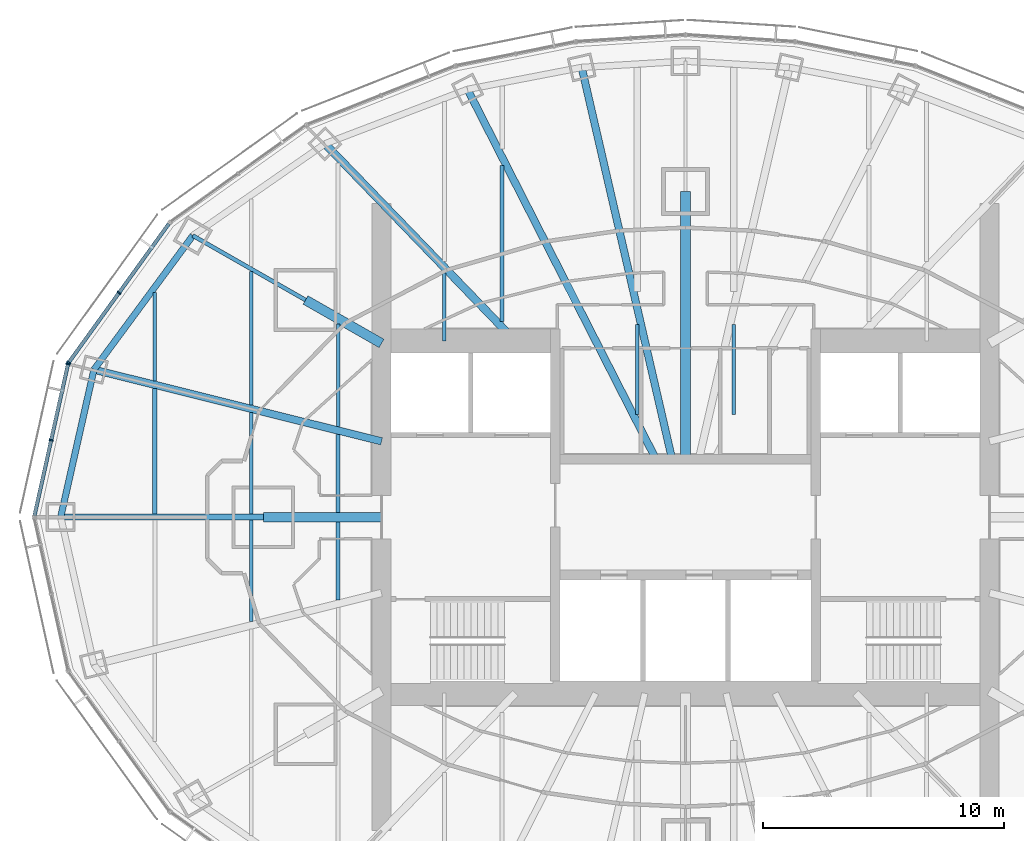
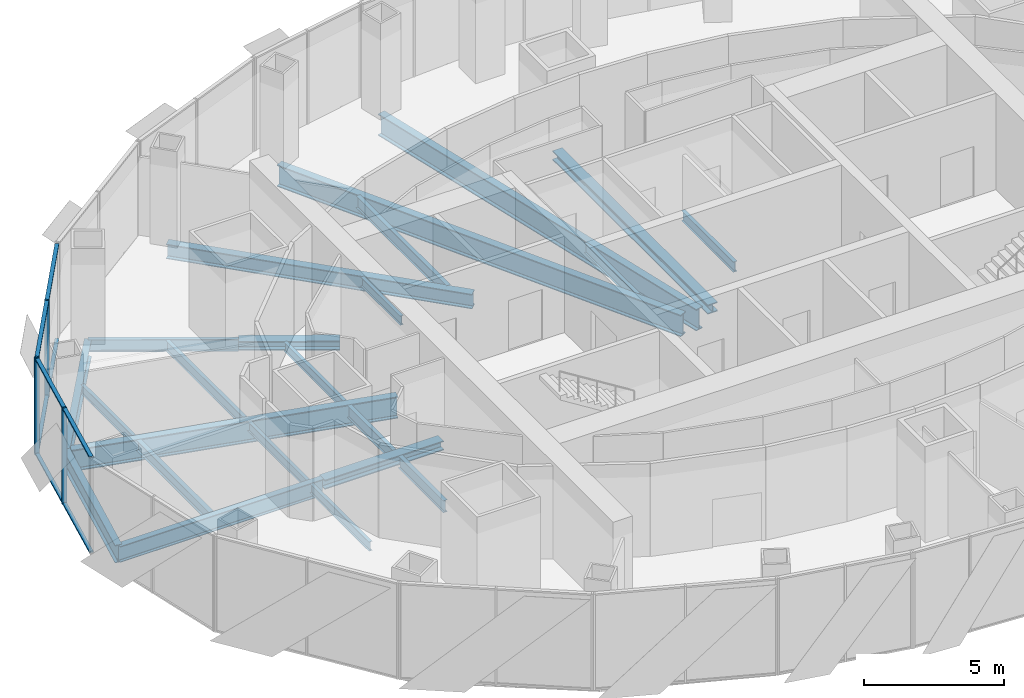
# One storey, part 4 of 17: 23 beams, 12 members, 2 elements without a shape of their own.
"""IFC4 building model written with IfcOpenShell, lengths in metres."""

from ifc_helpers import new_model, si_unit, direction, frame, origin, origin_2d, place, context, subcontext, project, spatial, rectangle, i_section, extrude, material, material_profile, profile_set, type_object, element, aggregate, save


model = new_model("IFC4")

# Units and contexts
model_context = context("Model", 3, precision=1e-05, world=origin(), true_north=direction((0.0, 1.0)))
body_context = subcontext(model_context, "Body", "Model", "MODEL_VIEW")
ifc_project = project(units=[si_unit("LENGTHUNIT", "METRE"), si_unit("AREAUNIT", "SQUARE_METRE"), si_unit("VOLUMEUNIT", "CUBIC_METRE"), si_unit("PLANEANGLEUNIT", "RADIAN"), si_unit("MASSUNIT", "GRAM", prefix="KILO")], contexts=[model_context])

# Site, building, storey
site_placement = place(None, origin())
site = spatial("IfcSite", under=ifc_project, at=site_placement, CompositionType="ELEMENT")
building_placement = place(site_placement, origin())
building = spatial("IfcBuilding", under=site, at=building_placement, Name="Lantaw Convention Tower", CompositionType="ELEMENT")
storey_placement = place(building_placement, frame((0.0, 0.0, 224.199951171875)))
storey = spatial("IfcBuildingStorey", under=building, at=storey_placement, Name="L52", CompositionType="ELEMENT", Elevation=224.199951171875)

# Beams
ifc_material_1 = material(Name="Steel ASTM A992", Category="steel")
ifc_material_profile_1 = material_profile(ifc_material_1, i_section(OverallWidth=0.2666015625, OverallDepth=0.76953125, WebThickness=0.015625, FlangeThickness=0.025390625, FilletRadius=0.0126953125, at=origin_2d()), Name="W30X132")
ifc_profile_set_1 = profile_set([ifc_material_profile_1], Name="Steel ASTM A992")
beam_type_1 = type_object("IfcBeamType", Name="Beam E W30X132", PredefinedType="SPANDREL", material=ifc_profile_set_1)
beam_1_placement = place(storey_placement, frame((-20.423095703125, 11.67041015625, -0.53466796875), z_axis=(-0.593639188853, -0.804731329984, 0.0), x_axis=(0.804731329984, -0.593639188853, 0.0)))
element("IfcBeam", 1, at=beam_1_placement, inside=storey, type_object=beam_type_1, Name="Edge beam 11", PredefinedType="SPANDREL", context=body_context, shape_type="SweptSolid", body=[
    extrude(i_section(OverallWidth=0.2666015625, OverallDepth=0.76953125, WebThickness=0.015625, FlangeThickness=0.025390625, FilletRadius=0.0126953125, at=origin_2d()), origin(), (0.0, 0.0, 1.0), 6.904541015625),
])
beam_2_placement = place(storey_placement, frame((-24.52197265625, 6.114013671875, -0.53466796875), z_axis=(-0.219857926596, -0.97553190215, 0.0), x_axis=(0.97553190215, -0.219857926596, 0.0)))
element("IfcBeam", 2, at=beam_2_placement, inside=storey, type_object=beam_type_1, Name="Edge beam 12", PredefinedType="SPANDREL", context=body_context, shape_type="SweptSolid", body=[
    extrude(i_section(OverallWidth=0.2666015625, OverallDepth=0.76953125, WebThickness=0.015625, FlangeThickness=0.025390625, FilletRadius=0.0126953125, at=origin_2d()), origin(), (0.0, 0.0, 1.0), 6.267333984375),
])
ifc_material_profile_2 = material_profile(ifc_material_1, i_section(OverallWidth=0.1650390625, OverallDepth=0.52587890625, WebThickness=0.0087890625, FlangeThickness=0.011474609375, FilletRadius=0.0126953125, at=origin_2d()), Name="W21X44")
ifc_profile_set_2 = profile_set([ifc_material_profile_2], Name="Steel ASTM A992")
beam_type_2 = type_object("IfcBeamType", Name="Beam G W21X44", PredefinedType="BEAM", material=ifc_profile_set_2)
beam_3_placement = place(storey_placement, frame((-15.75, 9.0, -0.412841796875), z_axis=(-0.868237559289, 0.496148708192, 0.0), x_axis=(-0.496148708192, -0.868237559289, 0.0)))
element("IfcBeam", 3, at=beam_3_placement, inside=storey, type_object=beam_type_2, Name="Floor girder on ray 11", PredefinedType="BEAM", context=body_context, shape_type="SweptSolid", body=[
    extrude(i_section(OverallWidth=0.1650390625, OverallDepth=0.52587890625, WebThickness=0.0087890625, FlangeThickness=0.011474609375, FilletRadius=0.0126953125, at=origin_2d()), origin(), (0.0, 0.0, 1.0), 5.38232421875),
])
ifc_material_profile_3 = material_profile(ifc_material_1, i_section(OverallWidth=0.32763671875, OverallDepth=0.64013671875, WebThickness=0.01904296875, FlangeThickness=0.033935546875, FilletRadius=0.0126953125, at=origin_2d()), Name="W24X176")
ifc_profile_set_3 = profile_set([ifc_material_profile_3], Name="Steel ASTM A992")
beam_type_3 = type_object("IfcBeamType", Name="Beam G W24X176", PredefinedType="BEAM", material=ifc_profile_set_3)
beam_4_placement = place(storey_placement, frame((-7.049560546875, 7.300048828125, -0.469970703125), z_axis=(-0.694657766726, 0.719340383356, 0.0), x_axis=(-0.719340383356, -0.694657766726, 0.0)))
element("IfcBeam", 4, at=beam_4_placement, inside=storey, type_object=beam_type_3, Name="Floor girder on ray 10", PredefinedType="BEAM", context=body_context, shape_type="SweptSolid", body=[
    extrude(i_section(OverallWidth=0.32763671875, OverallDepth=0.64013671875, WebThickness=0.01904296875, FlangeThickness=0.033935546875, FilletRadius=0.0126953125, at=origin_2d()), origin(), (0.0, 0.0, 1.0), 11.364990234375),
])
ifc_material_profile_4 = material_profile(ifc_material_1, i_section(OverallWidth=0.25390625, OverallDepth=0.700927734375, WebThickness=0.015380859375, FlangeThickness=0.02783203125, FilletRadius=0.01513671875, at=origin_2d()), Name="W27X129")
ifc_profile_set_4 = profile_set([ifc_material_profile_4], Name="Steel ASTM A992")
beam_type_4 = type_object("IfcBeamType", Name="Beam G W27X129", PredefinedType="BEAM", material=ifc_profile_set_4)
beam_5_placement = place(storey_placement, frame((-17.5, 0.0, -0.50048828125), z_axis=(-1.0, 0.0, 0.0), x_axis=(0.0, -1.0, 0.0)))
element("IfcBeam", 5, at=beam_5_placement, inside=storey, type_object=beam_type_4, Name="Floor girder on ray 13", PredefinedType="BEAM", context=body_context, shape_type="SweptSolid", body=[
    extrude(i_section(OverallWidth=0.25390625, OverallDepth=0.700927734375, WebThickness=0.015380859375, FlangeThickness=0.02783203125, FilletRadius=0.01513671875, at=origin_2d()), origin(), (0.0, 0.0, 1.0), 8.39990234375),
])
ifc_material_profile_5 = material_profile(ifc_material_1, i_section(OverallWidth=0.307373046875, OverallDepth=0.9423828125, WebThickness=0.022216796875, FlangeThickness=0.039794921875, FilletRadius=0.0126953125, at=origin_2d()), Name="W36X232")
ifc_profile_set_5 = profile_set([ifc_material_profile_5], Name="Steel ASTM A992")
beam_type_5 = type_object("IfcBeamType", Name="Beam G W36X232", PredefinedType="BEAM", material=ifc_profile_set_5)
beam_6_placement = place(storey_placement, frame((-0.55419921875, 2.39990234375, -0.62109375), z_axis=(-0.224948287002, 0.974370703672, 0.0), x_axis=(-0.974370703672, -0.224948287002, 0.0)))
element("IfcBeam", 6, at=beam_6_placement, inside=storey, type_object=beam_type_5, Name="Floor girder on ray 8", PredefinedType="BEAM", context=body_context, shape_type="SweptSolid", body=[
    extrude(i_section(OverallWidth=0.307373046875, OverallDepth=0.9423828125, WebThickness=0.022216796875, FlangeThickness=0.039794921875, FilletRadius=0.0126953125, at=origin_2d()), origin(), (0.0, 0.0, 1.0), 16.66943359375),
])
beam_7_placement = place(storey_placement, frame((-1.222900390625, 2.39990234375, -0.62109375), z_axis=(-0.453988481463, 0.891007552549, 0.0), x_axis=(-0.891007552549, -0.453988481463, 0.0)))
element("IfcBeam", 7, at=beam_7_placement, inside=storey, type_object=beam_type_5, Name="Floor girder on ray 9", PredefinedType="BEAM", context=body_context, shape_type="SweptSolid", body=[
    extrude(i_section(OverallWidth=0.307373046875, OverallDepth=0.9423828125, WebThickness=0.022216796875, FlangeThickness=0.039794921875, FilletRadius=0.0126953125, at=origin_2d()), origin(), (0.0, 0.0, 1.0), 17.20703125),
])
beam_8_placement = place(storey_placement, frame((-12.60009765625, 3.1416015625, -0.62109375), z_axis=(-0.970296589314, 0.241918434119, 0.0), x_axis=(-0.241918434119, -0.970296589314, 0.0)))
element("IfcBeam", 8, at=beam_8_placement, inside=storey, type_object=beam_type_5, Name="Floor girder on ray 12", PredefinedType="BEAM", context=body_context, shape_type="SweptSolid", body=[
    extrude(i_section(OverallWidth=0.307373046875, OverallDepth=0.9423828125, WebThickness=0.022216796875, FlangeThickness=0.039794921875, FilletRadius=0.0126953125, at=origin_2d()), origin(), (0.0, 0.0, 1.0), 12.286865234375),
])
ifc_material_profile_6 = material_profile(ifc_material_1, i_section(OverallWidth=0.40380859375, OverallDepth=0.406494140625, WebThickness=0.027099609375, FlangeThickness=0.043701171875, FilletRadius=0.01513671875, at=origin_2d()), Name="W14X233")
ifc_profile_set_6 = profile_set([ifc_material_profile_6], Name="Steel ASTM A992")
beam_type_6 = type_object("IfcBeamType", Name="Beam GM W14X233", PredefinedType="BEAM", material=ifc_profile_set_6)
beam_9_placement = place(storey_placement, frame((0.0, 2.39990234375, -0.353271484375), z_axis=(0.0, 1.0, 0.0), x_axis=(-1.0, 0.0, 0.0)))
element("IfcBeam", 9, at=beam_9_placement, inside=storey, type_object=beam_type_6, Name="Core link beam on ray 7", PredefinedType="BEAM", context=body_context, shape_type="SweptSolid", body=[
    extrude(i_section(OverallWidth=0.40380859375, OverallDepth=0.406494140625, WebThickness=0.027099609375, FlangeThickness=0.043701171875, FilletRadius=0.01513671875, at=origin_2d()), origin(), (0.0, 0.0, 1.0), 11.10009765625),
])
beam_10_placement = place(storey_placement, frame((-12.60009765625, 7.199951171875, -0.353271484375), z_axis=(-0.868230718294, 0.496160679428, 0.0), x_axis=(-0.496160679428, -0.868230718294, 0.0)))
element("IfcBeam", 10, at=beam_10_placement, inside=storey, type_object=beam_type_6, Name="Core link beam on ray 11", PredefinedType="BEAM", context=body_context, shape_type="SweptSolid", body=[
    extrude(i_section(OverallWidth=0.40380859375, OverallDepth=0.406494140625, WebThickness=0.027099609375, FlangeThickness=0.043701171875, FilletRadius=0.01513671875, at=origin_2d()), origin(), (0.0, 0.0, 1.0), 3.6279296875),
])
beam_11_placement = place(storey_placement, frame((-12.60009765625, 0.0, -0.353271484375), z_axis=(-1.0, 0.0, 0.0), x_axis=(0.0, -1.0, 0.0)))
element("IfcBeam", 11, at=beam_11_placement, inside=storey, type_object=beam_type_6, Name="Core link beam on ray 13", PredefinedType="BEAM", context=body_context, shape_type="SweptSolid", body=[
    extrude(i_section(OverallWidth=0.40380859375, OverallDepth=0.406494140625, WebThickness=0.027099609375, FlangeThickness=0.043701171875, FilletRadius=0.01513671875, at=origin_2d()), origin(), (0.0, 0.0, 1.0), 4.89990234375),
])
ifc_material_profile_7 = material_profile(ifc_material_1, i_section(OverallWidth=0.140380859375, OverallDepth=0.40380859375, WebThickness=0.007080078125, FlangeThickness=0.01123046875, FilletRadius=0.01025390625, at=origin_2d()), Name="W16X31")
ifc_profile_set_7 = profile_set([ifc_material_profile_7], Name="Steel ASTM A992")
beam_type_7 = type_object("IfcBeamType", Name="Beam J W16X31", PredefinedType="JOIST", material=ifc_profile_set_7)
beam_12_placement = place(storey_placement, frame((-22.0, 5.6435546875, -0.351806640625), z_axis=(0.0, 1.0, 0.0), x_axis=(-1.0, 0.0, 0.0)))
element("IfcBeam", 12, at=beam_12_placement, inside=storey, type_object=beam_type_7, Name="Floor joist", PredefinedType="JOIST", context=body_context, shape_type="SweptSolid", body=[
    extrude(i_section(OverallWidth=0.140380859375, OverallDepth=0.40380859375, WebThickness=0.007080078125, FlangeThickness=0.01123046875, FilletRadius=0.01025390625, at=origin_2d()), origin(), (0.0, 0.0, 1.0), 3.66455078125),
])
for number, where, z_axis, x_axis, name in (
    (13, (-18.0, -4.32958984375, -0.351806640625), (0.0, 1.0, 0.0), (-1.0, 0.0, 0.0), "Floor joist"),
    (14, (-18.0, 0.126953125, -0.351806640625), (0.0, 1.0, 0.0), (-1.0, 0.0, 0.0), "Floor joist"),
):
    element("IfcBeam", number, at=place(storey_placement, frame(where, z_axis=z_axis, x_axis=x_axis)), inside=storey, type_object=beam_type_7, Name=name, PredefinedType="JOIST", context=body_context, shape_type="SweptSolid", body=[
        extrude(i_section(OverallWidth=0.140380859375, OverallDepth=0.40380859375, WebThickness=0.007080078125, FlangeThickness=0.01123046875, FilletRadius=0.01025390625, at=origin_2d()), origin(), (0.0, 0.0, 1.0), 4.20263671875),
    ])
beam_13_placement = place(storey_placement, frame((-14.39990234375, 3.748779296875, -0.351806640625), z_axis=(0.0, 1.0, 0.0), x_axis=(-1.0, 0.0, 0.0)))
element("IfcBeam", 15, at=beam_13_placement, inside=storey, type_object=beam_type_7, Name="Floor joist", PredefinedType="JOIST", context=body_context, shape_type="SweptSolid", body=[
    extrude(i_section(OverallWidth=0.140380859375, OverallDepth=0.40380859375, WebThickness=0.007080078125, FlangeThickness=0.01123046875, FilletRadius=0.01025390625, at=origin_2d()), origin(), (0.0, 0.0, 1.0), 4.247314453125),
])
beam_14_placement = place(storey_placement, frame((-10.0, 7.300048828125, -0.351806640625), z_axis=(0.0, 1.0, 0.0), x_axis=(-1.0, 0.0, 0.0)))
element("IfcBeam", 16, at=beam_14_placement, inside=storey, type_object=beam_type_7, Name="Floor joist", PredefinedType="JOIST", context=body_context, shape_type="SweptSolid", body=[
    extrude(i_section(OverallWidth=0.140380859375, OverallDepth=0.40380859375, WebThickness=0.007080078125, FlangeThickness=0.01123046875, FilletRadius=0.01025390625, at=origin_2d()), origin(), (0.0, 0.0, 1.0), 2.8193359375),
])
ifc_material_profile_8 = material_profile(ifc_material_1, i_section(OverallWidth=0.15234375, OverallDepth=0.449462890625, WebThickness=0.007568359375, FlangeThickness=0.0107421875, FilletRadius=0.01025390625, at=origin_2d()), Name="W18X35")
ifc_profile_set_8 = profile_set([ifc_material_profile_8], Name="Steel ASTM A992")
beam_type_8 = type_object("IfcBeamType", Name="Beam J W18X35", PredefinedType="JOIST", material=ifc_profile_set_8)
beam_15_placement = place(storey_placement, frame((-18.0, 4.646240234375, -0.374755859375), z_axis=(0.0, 1.0, 0.0), x_axis=(-1.0, 0.0, 0.0)))
element("IfcBeam", 17, at=beam_15_placement, inside=storey, type_object=beam_type_8, Name="Floor joist", PredefinedType="JOIST", context=body_context, shape_type="SweptSolid", body=[
    extrude(i_section(OverallWidth=0.15234375, OverallDepth=0.449462890625, WebThickness=0.007568359375, FlangeThickness=0.0107421875, FilletRadius=0.01025390625, at=origin_2d()), origin(), (0.0, 0.0, 1.0), 5.54443359375),
])
for number, where, z_axis, x_axis, name in (
    (18, (-2.0, 4.263671875, -0.374755859375), (0.0, 1.0, 0.0), (-1.0, 0.0, 0.0), "Floor joist"),
    (19, (2.0, 4.263671875, -0.374755859375), (0.0, 1.0, 0.0), (-1.0, 0.0, 0.0), "Floor joist"),
):
    element("IfcBeam", number, at=place(storey_placement, frame(where, z_axis=z_axis, x_axis=x_axis)), inside=storey, type_object=beam_type_8, Name=name, PredefinedType="JOIST", context=body_context, shape_type="SweptSolid", body=[
        extrude(i_section(OverallWidth=0.15234375, OverallDepth=0.449462890625, WebThickness=0.007568359375, FlangeThickness=0.0107421875, FilletRadius=0.01025390625, at=origin_2d()), origin(), (0.0, 0.0, 1.0), 3.716064453125),
    ])
ifc_material_profile_9 = material_profile(ifc_material_1, i_section(OverallWidth=0.1904296875, OverallDepth=0.457275390625, WebThickness=0.009033203125, FlangeThickness=0.014404296875, FilletRadius=0.01025390625, at=origin_2d()), Name="W18X50")
ifc_profile_set_9 = profile_set([ifc_material_profile_9], Name="Steel ASTM A992")
beam_type_9 = type_object("IfcBeamType", Name="Beam J W18X50", PredefinedType="JOIST", material=ifc_profile_set_9)
beam_16_placement = place(storey_placement, frame((-22.0, 0.126953125, -0.378662109375), z_axis=(0.0, 1.0, 0.0), x_axis=(-1.0, 0.0, 0.0)))
element("IfcBeam", 20, at=beam_16_placement, inside=storey, type_object=beam_type_9, Name="Floor joist", PredefinedType="JOIST", context=body_context, shape_type="SweptSolid", body=[
    extrude(i_section(OverallWidth=0.1904296875, OverallDepth=0.457275390625, WebThickness=0.009033203125, FlangeThickness=0.014404296875, FilletRadius=0.01025390625, at=origin_2d()), origin(), (0.0, 0.0, 1.0), 5.199951171875),
])
ifc_material_profile_10 = material_profile(ifc_material_1, i_section(OverallWidth=0.1650390625, OverallDepth=0.52587890625, WebThickness=0.0087890625, FlangeThickness=0.011474609375, FilletRadius=0.0126953125, at=origin_2d()), Name="W21X44")
ifc_profile_set_10 = profile_set([ifc_material_profile_10], Name="Steel ASTM A992")
beam_type_10 = type_object("IfcBeamType", Name="Beam J W21X44", PredefinedType="JOIST", material=ifc_profile_set_10)
for number, where, z_axis, x_axis, name in (
    (21, (-14.39990234375, -3.431884765625, -0.412841796875), (0.0, 1.0, 0.0), (-1.0, 0.0, 0.0), "Floor joist"),
    (22, (-14.39990234375, 0.201904296875, -0.412841796875), (0.0, 1.0, 0.0), (-1.0, 0.0, 0.0), "Floor joist"),
):
    element("IfcBeam", number, at=place(storey_placement, frame(where, z_axis=z_axis, x_axis=x_axis)), inside=storey, type_object=beam_type_10, Name=name, PredefinedType="JOIST", context=body_context, shape_type="SweptSolid", body=[
        extrude(i_section(OverallWidth=0.1650390625, OverallDepth=0.52587890625, WebThickness=0.0087890625, FlangeThickness=0.011474609375, FilletRadius=0.0126953125, at=origin_2d()), origin(), (0.0, 0.0, 1.0), 3.22998046875),
    ])
beam_17_placement = place(storey_placement, frame((-7.60009765625, 8.10595703125, -0.412841796875), z_axis=(0.0, 1.0, 0.0), x_axis=(-1.0, 0.0, 0.0)))
element("IfcBeam", 23, at=beam_17_placement, inside=storey, type_object=beam_type_10, Name="Floor joist", PredefinedType="JOIST", context=body_context, shape_type="SweptSolid", body=[
    extrude(i_section(OverallWidth=0.1650390625, OverallDepth=0.52587890625, WebThickness=0.0087890625, FlangeThickness=0.011474609375, FilletRadius=0.0126953125, at=origin_2d()), origin(), (0.0, 0.0, 1.0), 6.471435546875),
])

# Curtain wall, members
ifc_material_2 = material(Name="Aluminium framed curtain wall", Category="aluminium")
curtain_wall_type = type_object("IfcCurtainWallType", Name="Office curtain wall high rise, pale aluminium", PredefinedType="USERDEFINED", material=ifc_material_2)
curtain_wall_1_placement = place(storey_placement, origin())
curtain_wall_1 = element("IfcCurtainWall", 24, at=curtain_wall_1_placement, inside=storey, type_object=curtain_wall_type, Name="Office curtain wall high rise, pale aluminium L52", ObjectType="UNITISED CURTAIN WALL", PredefinedType="USERDEFINED")
ifc_material_3 = material(Name="Aluminium 6063-T6", Category="aluminium")
ifc_material_profile_11 = material_profile(ifc_material_3, rectangle(XDim=0.179931640625, YDim=0.06494140625, at=origin_2d()), Name="CW-O2 mullion 65x180")
ifc_profile_set_11 = profile_set([ifc_material_profile_11], Name="Aluminium 6063-T6")
member_type_1 = type_object("IfcMemberType", Name="CW-O2 mullion 65x180", PredefinedType="MULLION", material=ifc_profile_set_11)
member_1_placement = place(storey_placement, frame((-23.483642578125, 9.298095703125, -0.14990234375), z_axis=(0.0, 0.0, 1.0), x_axis=(0.810919559405, -0.585157643865, 0.0)))
member_1 = element("IfcMember", 25, at=member_1_placement, type_object=member_type_1, Name="CW-O2 mullion 2", PredefinedType="MULLION", context=body_context, shape_type="SweptSolid", body=[
    extrude(rectangle(XDim=0.179931640625, YDim=0.06494140625, at=origin_2d()), origin(), (0.0, 0.0, 1.0), 4.199951171875),
])
member_2_placement = place(storey_placement, frame((-25.5703125, 6.406494140625, -0.14990234375), z_axis=(0.0, 0.0, 1.0), x_axis=(0.810919559405, -0.585157643865, 0.0)))
member_2 = element("IfcMember", 26, at=member_2_placement, type_object=member_type_1, Name="CW-O2 mullion 3", PredefinedType="MULLION", context=body_context, shape_type="SweptSolid", body=[
    extrude(rectangle(XDim=0.179931640625, YDim=0.06494140625, at=origin_2d()), origin(), (0.0, 0.0, 1.0), 4.199951171875),
])

curtain_wall_2_placement = place(storey_placement, origin())
curtain_wall_2 = element("IfcCurtainWall", 27, at=curtain_wall_2_placement, inside=storey, type_object=curtain_wall_type, Name="Office curtain wall high rise, pale aluminium L52", ObjectType="UNITISED CURTAIN WALL", PredefinedType="USERDEFINED")
member_3_placement = place(storey_placement, frame((-25.596435546875, 6.348388671875, -0.14990234375), z_axis=(0.0, 0.0, 1.0), x_axis=(0.976417396437, -0.215891333626, 0.0)))
member_3 = element("IfcMember", 28, at=member_3_placement, type_object=member_type_1, Name="CW-O2 mullion 1", PredefinedType="MULLION", context=body_context, shape_type="SweptSolid", body=[
    extrude(rectangle(XDim=0.179931640625, YDim=0.06494140625, at=origin_2d()), origin(), (0.0, 0.0, 1.0), 4.199951171875),
])
member_4_placement = place(storey_placement, frame((-26.294677734375, 3.190185546875, -0.14990234375), z_axis=(0.0, 0.0, 1.0), x_axis=(0.976417396437, -0.215891333626, 0.0)))
member_4 = element("IfcMember", 29, at=member_4_placement, type_object=member_type_1, Name="CW-O2 mullion 2", PredefinedType="MULLION", context=body_context, shape_type="SweptSolid", body=[
    extrude(rectangle(XDim=0.179931640625, YDim=0.06494140625, at=origin_2d()), origin(), (0.0, 0.0, 1.0), 4.199951171875),
])

# Member
ifc_material_profile_12 = material_profile(ifc_material_3, rectangle(XDim=0.14990234375, YDim=0.06494140625, at=origin_2d()), Name="CW-O2 transom 65x150")
ifc_profile_set_12 = profile_set([ifc_material_profile_12], Name="Aluminium 6063-T6")
member_type_2 = type_object("IfcMemberType", Name="CW-O2 transom 65x150", PredefinedType="USERDEFINED", material=ifc_profile_set_12)
member_5_placement = place(storey_placement, frame((-21.416259765625, 12.163330078125, -0.117431640625), z_axis=(-0.585123825205, -0.810943961798, 0.0), x_axis=(0.810943961798, -0.585123825205, 0.0)))
member_5 = element("IfcMember", 30, at=member_5_placement, type_object=member_type_2, Name="CW-O2 transom 1.1", ObjectType="TRANSOM", PredefinedType="USERDEFINED", context=body_context, shape_type="SweptSolid", body=[
    extrude(rectangle(XDim=0.14990234375, YDim=0.06494140625, at=origin_2d()), origin(), (0.0, 0.0, 1.0), 3.500732421875),
])

member_6_placement = place(storey_placement, frame((-21.416259765625, 12.163330078125, 4.017578125), z_axis=(-0.585123825205, -0.810943961798, 0.0), x_axis=(0.810943961798, -0.585123825205, 0.0)))
member_6 = element("IfcMember", 31, at=member_6_placement, type_object=member_type_2, Name="CW-O2 transom 1.2", ObjectType="TRANSOM", PredefinedType="USERDEFINED", context=body_context, shape_type="SweptSolid", body=[
    extrude(rectangle(XDim=0.14990234375, YDim=0.06494140625, at=origin_2d()), origin(), (0.0, 0.0, 1.0), 3.500732421875),
])

member_7_placement = place(storey_placement, frame((-23.502685546875, 9.271728515625, -0.117431640625), z_axis=(-0.585169685931, -0.810910869743, 0.0), x_axis=(0.810910869743, -0.585169685931, 0.0)))
member_7 = element("IfcMember", 32, at=member_7_placement, type_object=member_type_2, Name="CW-O2 transom 2.1", ObjectType="TRANSOM", PredefinedType="USERDEFINED", context=body_context, shape_type="SweptSolid", body=[
    extrude(rectangle(XDim=0.14990234375, YDim=0.06494140625, at=origin_2d()), origin(), (0.0, 0.0, 1.0), 3.500732421875),
])

member_8_placement = place(storey_placement, frame((-23.502685546875, 9.271728515625, 4.017578125), z_axis=(-0.585169685931, -0.810910869743, 0.0), x_axis=(0.810910869743, -0.585169685931, 0.0)))
member_8 = element("IfcMember", 33, at=member_8_placement, type_object=member_type_2, Name="CW-O2 transom 2.2", ObjectType="TRANSOM", PredefinedType="USERDEFINED", context=body_context, shape_type="SweptSolid", body=[
    extrude(rectangle(XDim=0.14990234375, YDim=0.06494140625, at=origin_2d()), origin(), (0.0, 0.0, 1.0), 3.500732421875),
])

aggregate(curtain_wall_1, [member_1, member_2, member_5, member_6, member_7, member_8])

member_9_placement = place(storey_placement, frame((-25.603271484375, 6.316650390625, -0.117431640625), z_axis=(-0.215894607042, -0.976416672661, 0.0), x_axis=(0.976416672661, -0.215894607042, 0.0)))
member_9 = element("IfcMember", 34, at=member_9_placement, type_object=member_type_2, Name="CW-O2 transom 1.1", ObjectType="TRANSOM", PredefinedType="USERDEFINED", context=body_context, shape_type="SweptSolid", body=[
    extrude(rectangle(XDim=0.14990234375, YDim=0.06494140625, at=origin_2d()), origin(), (0.0, 0.0, 1.0), 3.169677734375),
])

member_10_placement = place(storey_placement, frame((-25.603271484375, 6.316650390625, 4.017578125), z_axis=(-0.215894607042, -0.976416672661, 0.0), x_axis=(0.976416672661, -0.215894607042, 0.0)))
member_10 = element("IfcMember", 35, at=member_10_placement, type_object=member_type_2, Name="CW-O2 transom 1.2", ObjectType="TRANSOM", PredefinedType="USERDEFINED", context=body_context, shape_type="SweptSolid", body=[
    extrude(rectangle(XDim=0.14990234375, YDim=0.06494140625, at=origin_2d()), origin(), (0.0, 0.0, 1.0), 3.169677734375),
])

member_11_placement = place(storey_placement, frame((-26.3017578125, 3.158447265625, -0.117431640625), z_axis=(-0.215894607042, -0.976416672661, 0.0), x_axis=(0.976416672661, -0.215894607042, 0.0)))
member_11 = element("IfcMember", 36, at=member_11_placement, type_object=member_type_2, Name="CW-O2 transom 2.1", ObjectType="TRANSOM", PredefinedType="USERDEFINED", context=body_context, shape_type="SweptSolid", body=[
    extrude(rectangle(XDim=0.14990234375, YDim=0.06494140625, at=origin_2d()), origin(), (0.0, 0.0, 1.0), 3.169677734375),
])

member_12_placement = place(storey_placement, frame((-26.3017578125, 3.158447265625, 4.017578125), z_axis=(-0.215894607042, -0.976416672661, 0.0), x_axis=(0.976416672661, -0.215894607042, 0.0)))
member_12 = element("IfcMember", 37, at=member_12_placement, type_object=member_type_2, Name="CW-O2 transom 2.2", ObjectType="TRANSOM", PredefinedType="USERDEFINED", context=body_context, shape_type="SweptSolid", body=[
    extrude(rectangle(XDim=0.14990234375, YDim=0.06494140625, at=origin_2d()), origin(), (0.0, 0.0, 1.0), 3.169677734375),
])

aggregate(curtain_wall_2, [member_3, member_4, member_9, member_10, member_11, member_12])

save(model, "model.ifc")
